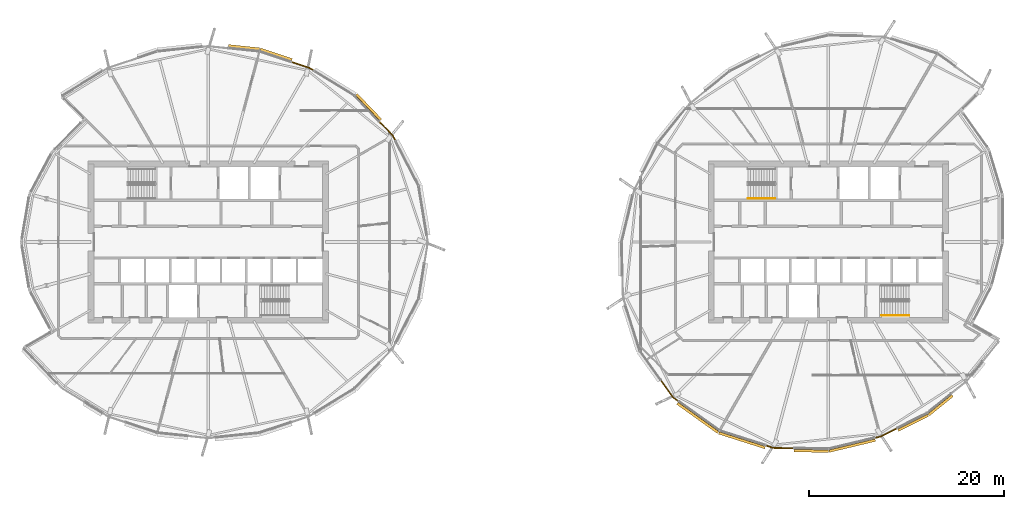
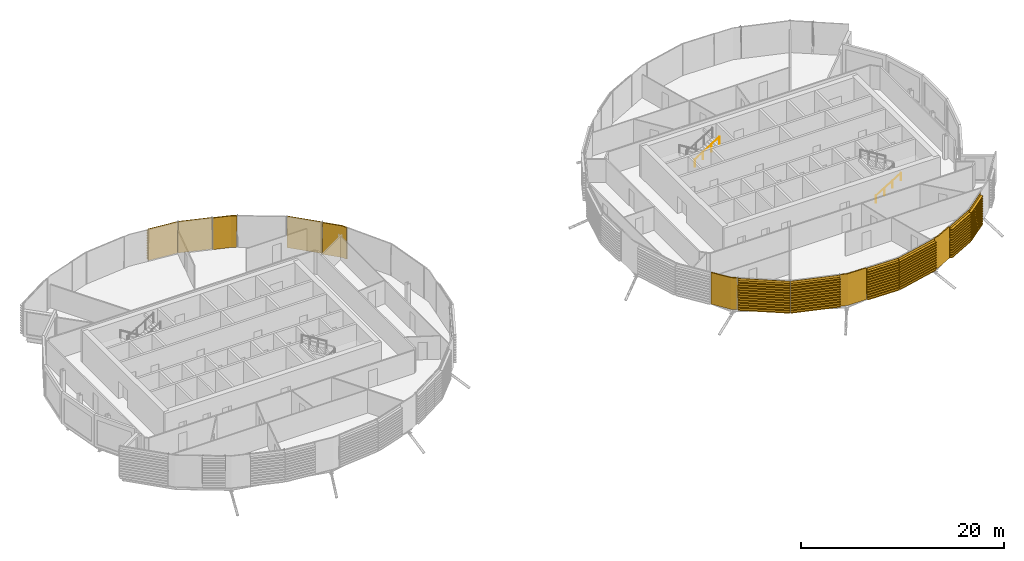
# One storey, part 35 of 37: 14 coverings, 2 railings.
"""IFC4 building model written with IfcOpenShell, lengths in metres."""

from ifc_helpers import new_model, si_unit, direction, frame, origin, origin_2d, place, context, subcontext, project, spatial, polyline, circle, outline, extrude, material, layer, layer_set, material_profile, profile_set, type_object, element, save


model = new_model("IFC4")

# Units and contexts
model_context = context("Model", 3, precision=1e-05, world=origin(), true_north=direction((0.0, 1.0)))
body_context = subcontext(model_context, "Body", "Model", "MODEL_VIEW")
ifc_project = project(units=[si_unit("LENGTHUNIT", "METRE"), si_unit("AREAUNIT", "SQUARE_METRE"), si_unit("VOLUMEUNIT", "CUBIC_METRE"), si_unit("PLANEANGLEUNIT", "RADIAN"), si_unit("MASSUNIT", "GRAM", prefix="KILO")], contexts=[model_context])

# Site, building, storey
site_placement = place(None, origin())
site = spatial("IfcSite", under=ifc_project, at=site_placement, CompositionType="ELEMENT")
building_placement = place(site_placement, origin())
building = spatial("IfcBuilding", under=site, at=building_placement, Name="Rimbun Link Towers", CompositionType="ELEMENT")
storey_placement = place(building_placement, frame((0.0, 0.0, 162.699951171875)))
storey = spatial("IfcBuildingStorey", under=building, at=storey_placement, Name="L39", CompositionType="ELEMENT", Elevation=162.699951171875)

# Coverings
ifc_material_1 = material(Name="Terracotta", Category="masonry")
ifc_layer = layer(ifc_material_1, 0.1201171875)
ifc_layer_set = layer_set([ifc_layer], Name="LINK PIER terracotta cladding 120")
covering_type_1 = type_object("IfcCoveringType", Name="LINK PIER terracotta cladding 120", PredefinedType="CLADDING", material=ifc_layer_set)
covering_1_placement = place(storey_placement, origin())
element("IfcCovering", 1, at=covering_1_placement, inside=storey, type_object=covering_type_1, Name="LINK PIER cladding", PredefinedType="CLADDING", context=body_context, shape_type="SweptSolid", body=[
    extrude(outline(polyline([(-14.273193359375, 12.299560546875), (-12.909912109375, 10.87744140625), (-12.64794921875, 10.37109375), (-12.541259765625, 10.42626953125), (-12.811279296875, 10.947998046875), (-14.1865234375, 12.382568359375), (-14.273193359375, 12.299560546875)])), origin(), (0.0, 0.0, 1.0), 3.800048828125),
])
covering_2_placement = place(storey_placement, origin())
element("IfcCovering", 2, at=covering_2_placement, inside=storey, type_object=covering_type_1, Name="LINK PIER cladding", PredefinedType="CLADDING", context=body_context, shape_type="SweptSolid", body=[
    extrude(outline(polyline([(-23.244873046875, 18.393798828125), (-21.469970703125, 17.8056640625), (-20.984130859375, 17.50732421875), (-20.92138671875, 17.609619140625), (-21.4189453125, 17.9150390625), (-23.207275390625, 18.5078125), (-23.244873046875, 18.393798828125)])), origin(), (0.0, 0.0, 1.0), 3.800048828125),
])
covering_3_placement = place(storey_placement, origin())
element("IfcCovering", 3, at=covering_3_placement, inside=storey, type_object=covering_type_1, Name="LINK PIER cladding", PredefinedType="CLADDING", context=body_context, shape_type="SweptSolid", body=[
    extrude(outline(polyline([(16.4296875, -16.255126953125), (15.885498046875, -15.864501953125), (14.6494140625, -14.14208984375), (14.552001953125, -14.212158203125), (15.79931640625, -15.95068359375), (16.35986328125, -16.352783203125), (16.4296875, -16.255126953125)])), origin(), (0.0, 0.0, 1.0), 3.800048828125),
])
covering_4_placement = place(storey_placement, origin())
element("IfcCovering", 4, at=covering_4_placement, inside=storey, type_object=covering_type_1, Name="LINK PIER cladding", PredefinedType="CLADDING", context=body_context, shape_type="SweptSolid", body=[
    extrude(outline(polyline([(28.18896484375, -21.05712890625), (26.119384765625, -21.013671875), (25.385498046875, -20.7802734375), (25.349365234375, -20.89453125), (26.099609375, -21.13330078125), (28.1865234375, -21.17724609375), (28.18896484375, -21.05712890625)])), origin(), (0.0, 0.0, 1.0), 3.800048828125),
])
covering_5_placement = place(storey_placement, origin())
element("IfcCovering", 5, at=covering_5_placement, inside=storey, type_object=covering_type_1, Name="LINK PIER cladding", PredefinedType="CLADDING", context=body_context, shape_type="SweptSolid", body=[
    extrude(outline(polyline([(38.742431640625, -19.020263671875), (37.0712890625, -19.859619140625), (36.516845703125, -19.9921875), (36.544921875, -20.10888671875), (37.11279296875, -19.972900390625), (38.79638671875, -19.12744140625), (38.742431640625, -19.020263671875)])), origin(), (0.0, 0.0, 1.0), 3.800048828125),
])

# Railings
ifc_material_2 = material(Name="Stainless steel grade 316", Category="steel")
railing_type = type_object("IfcRailingType", Name="Stair handrail", PredefinedType="HANDRAIL", material=ifc_material_2)
for number, where, name in (
    (6, (23.5, 4.449951171875, 2.07275390625), "L39 ST3 stair handrail 2"),
    (7, (37.199951171875, -7.5, 0.1728515625), "L39 ST4 stair handrail 1"),
):
    element("IfcRailing", number, at=place(storey_placement, frame(where)), inside=storey, type_object=railing_type, Name=name, PredefinedType="HANDRAIL", context=body_context, shape_type="SweptSolid", body=[
        extrude(circle(Radius=0.02392578125, at=origin_2d()), frame((0.0, 0.0, 0.8759765625), z_axis=(0.851089632645, 0.0, 0.525020415988), x_axis=(0.0, 1.0, 0.0)), (0.0, 0.0, 1.0), 3.2900390625),
        extrude(circle(Radius=0.02099609375, at=origin_2d()), origin(), (0.0, 0.0, 1.0), 0.851806640625),
        extrude(circle(Radius=0.02099609375, at=origin_2d()), frame((0.933349609375, 0.0, 0.57568359375)), (0.0, 0.0, 1.0), 0.851806640625),
        extrude(circle(Radius=0.02099609375, at=origin_2d()), frame((1.86669921875, 0.0, 1.151611328125)), (0.0, 0.0, 1.0), 0.851806640625),
        extrude(circle(Radius=0.02099609375, at=origin_2d()), frame((2.800048828125, 0.0, 1.727294921875)), (0.0, 0.0, 1.0), 0.851806640625),
    ])

# Coverings
ifc_material_3 = material(Name="Terracotta", Category="masonry")
ifc_material_profile = material_profile(ifc_material_3, outline(polyline([(0.123046875, 0.0), (0.1630859375, 0.0), (0.1630859375, 0.10009765625), (0.423095703125, 0.10009765625), (0.423095703125, 0.219970703125), (0.1630859375, 0.219970703125), (0.1630859375, 0.39990234375), (0.423095703125, 0.39990234375), (0.423095703125, 0.52001953125), (0.1630859375, 0.52001953125), (0.1630859375, 0.699951171875), (0.423095703125, 0.699951171875), (0.423095703125, 0.820068359375), (0.1630859375, 0.820068359375), (0.1630859375, 1.0), (0.423095703125, 1.0), (0.423095703125, 1.1201171875), (0.1630859375, 1.1201171875), (0.1630859375, 1.300048828125), (0.423095703125, 1.300048828125), (0.423095703125, 1.419921875), (0.1630859375, 1.419921875), (0.1630859375, 1.60009765625), (0.423095703125, 1.60009765625), (0.423095703125, 1.719970703125), (0.1630859375, 1.719970703125), (0.1630859375, 1.89990234375), (0.423095703125, 1.89990234375), (0.423095703125, 2.02001953125), (0.1630859375, 2.02001953125), (0.1630859375, 2.199951171875), (0.423095703125, 2.199951171875), (0.423095703125, 2.320068359375), (0.1630859375, 2.320068359375), (0.1630859375, 2.5), (0.423095703125, 2.5), (0.423095703125, 2.6201171875), (0.1630859375, 2.6201171875), (0.1630859375, 2.800048828125), (0.423095703125, 2.800048828125), (0.423095703125, 2.919921875), (0.1630859375, 2.919921875), (0.1630859375, 3.10009765625), (0.423095703125, 3.10009765625), (0.423095703125, 3.219970703125), (0.1630859375, 3.219970703125), (0.1630859375, 3.39990234375), (0.423095703125, 3.39990234375), (0.423095703125, 3.52001953125), (0.1630859375, 3.52001953125), (0.1630859375, 3.800048828125), (0.123046875, 3.800048828125), (0.123046875, 0.0)])), Name="BAGUETTE 120X300")
ifc_profile_set = profile_set([ifc_material_profile], Name="Terracotta")
covering_type_2 = type_object("IfcCoveringType", Name="TERRACOTTA BAGUETTE 120X300 H3800", PredefinedType="CLADDING", material=ifc_profile_set)
covering_6_placement = place(storey_placement, frame((-16.807373046875, 14.942626953125, 0.0), z_axis=(0.692060112177, -0.721839872225, 0.0), x_axis=(0.721839872225, 0.692060112177, 0.0)))
element("IfcCovering", 8, at=covering_6_placement, inside=storey, type_object=covering_type_2, Name="TERRACOTTA BAGUETTE", PredefinedType="CLADDING", context=body_context, shape_type="SweptSolid", body=[
    extrude(outline(polyline([(0.123046875, 0.0), (0.1630859375, 0.0), (0.1630859375, 0.10009765625), (0.423095703125, 0.10009765625), (0.423095703125, 0.219970703125), (0.1630859375, 0.219970703125), (0.1630859375, 0.39990234375), (0.423095703125, 0.39990234375), (0.423095703125, 0.52001953125), (0.1630859375, 0.52001953125), (0.1630859375, 0.699951171875), (0.423095703125, 0.699951171875), (0.423095703125, 0.820068359375), (0.1630859375, 0.820068359375), (0.1630859375, 1.0), (0.423095703125, 1.0), (0.423095703125, 1.1201171875), (0.1630859375, 1.1201171875), (0.1630859375, 1.300048828125), (0.423095703125, 1.300048828125), (0.423095703125, 1.419921875), (0.1630859375, 1.419921875), (0.1630859375, 1.60009765625), (0.423095703125, 1.60009765625), (0.423095703125, 1.719970703125), (0.1630859375, 1.719970703125), (0.1630859375, 1.89990234375), (0.423095703125, 1.89990234375), (0.423095703125, 2.02001953125), (0.1630859375, 2.02001953125), (0.1630859375, 2.199951171875), (0.423095703125, 2.199951171875), (0.423095703125, 2.320068359375), (0.1630859375, 2.320068359375), (0.1630859375, 2.5), (0.423095703125, 2.5), (0.423095703125, 2.6201171875), (0.1630859375, 2.6201171875), (0.1630859375, 2.800048828125), (0.423095703125, 2.800048828125), (0.423095703125, 2.919921875), (0.1630859375, 2.919921875), (0.1630859375, 3.10009765625), (0.423095703125, 3.10009765625), (0.423095703125, 3.219970703125), (0.1630859375, 3.219970703125), (0.1630859375, 3.39990234375), (0.423095703125, 3.39990234375), (0.423095703125, 3.52001953125), (0.1630859375, 3.52001953125), (0.1630859375, 3.800048828125), (0.123046875, 3.800048828125), (0.123046875, 0.0)])), origin(), (0.0, 0.0, 1.0), 3.6318359375),
])
covering_7_placement = place(storey_placement, frame((-26.52978515625, 19.482421875, 0.0), z_axis=(0.949236945708, -0.314561950819, 0.0), x_axis=(0.314561950819, 0.949236945708, 0.0)))
element("IfcCovering", 9, at=covering_7_placement, inside=storey, type_object=covering_type_2, Name="TERRACOTTA BAGUETTE", PredefinedType="CLADDING", context=body_context, shape_type="SweptSolid", body=[
    extrude(outline(polyline([(0.123046875, 0.0), (0.1630859375, 0.0), (0.1630859375, 0.10009765625), (0.423095703125, 0.10009765625), (0.423095703125, 0.219970703125), (0.1630859375, 0.219970703125), (0.1630859375, 0.39990234375), (0.423095703125, 0.39990234375), (0.423095703125, 0.52001953125), (0.1630859375, 0.52001953125), (0.1630859375, 0.699951171875), (0.423095703125, 0.699951171875), (0.423095703125, 0.820068359375), (0.1630859375, 0.820068359375), (0.1630859375, 1.0), (0.423095703125, 1.0), (0.423095703125, 1.1201171875), (0.1630859375, 1.1201171875), (0.1630859375, 1.300048828125), (0.423095703125, 1.300048828125), (0.423095703125, 1.419921875), (0.1630859375, 1.419921875), (0.1630859375, 1.60009765625), (0.423095703125, 1.60009765625), (0.423095703125, 1.719970703125), (0.1630859375, 1.719970703125), (0.1630859375, 1.89990234375), (0.423095703125, 1.89990234375), (0.423095703125, 2.02001953125), (0.1630859375, 2.02001953125), (0.1630859375, 2.199951171875), (0.423095703125, 2.199951171875), (0.423095703125, 2.320068359375), (0.1630859375, 2.320068359375), (0.1630859375, 2.5), (0.423095703125, 2.5), (0.423095703125, 2.6201171875), (0.1630859375, 2.6201171875), (0.1630859375, 2.800048828125), (0.423095703125, 2.800048828125), (0.423095703125, 2.919921875), (0.1630859375, 2.919921875), (0.1630859375, 3.10009765625), (0.423095703125, 3.10009765625), (0.423095703125, 3.219970703125), (0.1630859375, 3.219970703125), (0.1630859375, 3.39990234375), (0.423095703125, 3.39990234375), (0.423095703125, 3.52001953125), (0.1630859375, 3.52001953125), (0.1630859375, 3.800048828125), (0.123046875, 3.800048828125), (0.123046875, 0.0)])), origin(), (0.0, 0.0, 1.0), 3.430419921875),
])
covering_8_placement = place(storey_placement, frame((-29.711181640625, 19.8173828125, 0.0), z_axis=(0.994502943543, -0.104708620869, 0.0), x_axis=(0.104708620869, 0.994502943543, 0.0)))
element("IfcCovering", 10, at=covering_8_placement, inside=storey, type_object=covering_type_2, Name="TERRACOTTA BAGUETTE", PredefinedType="CLADDING", context=body_context, shape_type="SweptSolid", body=[
    extrude(outline(polyline([(0.123046875, 0.0), (0.1630859375, 0.0), (0.1630859375, 0.10009765625), (0.423095703125, 0.10009765625), (0.423095703125, 0.219970703125), (0.1630859375, 0.219970703125), (0.1630859375, 0.39990234375), (0.423095703125, 0.39990234375), (0.423095703125, 0.52001953125), (0.1630859375, 0.52001953125), (0.1630859375, 0.699951171875), (0.423095703125, 0.699951171875), (0.423095703125, 0.820068359375), (0.1630859375, 0.820068359375), (0.1630859375, 1.0), (0.423095703125, 1.0), (0.423095703125, 1.1201171875), (0.1630859375, 1.1201171875), (0.1630859375, 1.300048828125), (0.423095703125, 1.300048828125), (0.423095703125, 1.419921875), (0.1630859375, 1.419921875), (0.1630859375, 1.60009765625), (0.423095703125, 1.60009765625), (0.423095703125, 1.719970703125), (0.1630859375, 1.719970703125), (0.1630859375, 1.89990234375), (0.423095703125, 1.89990234375), (0.423095703125, 2.02001953125), (0.1630859375, 2.02001953125), (0.1630859375, 2.199951171875), (0.423095703125, 2.199951171875), (0.423095703125, 2.320068359375), (0.1630859375, 2.320068359375), (0.1630859375, 2.5), (0.423095703125, 2.5), (0.423095703125, 2.6201171875), (0.1630859375, 2.6201171875), (0.1630859375, 2.800048828125), (0.423095703125, 2.800048828125), (0.423095703125, 2.919921875), (0.1630859375, 2.919921875), (0.1630859375, 3.10009765625), (0.423095703125, 3.10009765625), (0.423095703125, 3.219970703125), (0.1630859375, 3.219970703125), (0.1630859375, 3.39990234375), (0.423095703125, 3.39990234375), (0.423095703125, 3.52001953125), (0.1630859375, 3.52001953125), (0.1630859375, 3.800048828125), (0.123046875, 3.800048828125), (0.123046875, 0.0)])), origin(), (0.0, 0.0, 1.0), 3.198974609375),
])
covering_9_placement = place(storey_placement, frame((20.62646484375, -19.2666015625, 0.0), z_axis=(-0.812475589724, 0.582995211046, 0.0), x_axis=(-0.582995211046, -0.812475589724, 0.0)))
element("IfcCovering", 11, at=covering_9_placement, inside=storey, type_object=covering_type_2, Name="TERRACOTTA BAGUETTE", PredefinedType="CLADDING", context=body_context, shape_type="SweptSolid", body=[
    extrude(outline(polyline([(0.123046875, 0.0), (0.1630859375, 0.0), (0.1630859375, 0.10009765625), (0.423095703125, 0.10009765625), (0.423095703125, 0.219970703125), (0.1630859375, 0.219970703125), (0.1630859375, 0.39990234375), (0.423095703125, 0.39990234375), (0.423095703125, 0.52001953125), (0.1630859375, 0.52001953125), (0.1630859375, 0.699951171875), (0.423095703125, 0.699951171875), (0.423095703125, 0.820068359375), (0.1630859375, 0.820068359375), (0.1630859375, 1.0), (0.423095703125, 1.0), (0.423095703125, 1.1201171875), (0.1630859375, 1.1201171875), (0.1630859375, 1.300048828125), (0.423095703125, 1.300048828125), (0.423095703125, 1.419921875), (0.1630859375, 1.419921875), (0.1630859375, 1.60009765625), (0.423095703125, 1.60009765625), (0.423095703125, 1.719970703125), (0.1630859375, 1.719970703125), (0.1630859375, 1.89990234375), (0.423095703125, 1.89990234375), (0.423095703125, 2.02001953125), (0.1630859375, 2.02001953125), (0.1630859375, 2.199951171875), (0.423095703125, 2.199951171875), (0.423095703125, 2.320068359375), (0.1630859375, 2.320068359375), (0.1630859375, 2.5), (0.423095703125, 2.5), (0.423095703125, 2.6201171875), (0.1630859375, 2.6201171875), (0.1630859375, 2.800048828125), (0.423095703125, 2.800048828125), (0.423095703125, 2.919921875), (0.1630859375, 2.919921875), (0.1630859375, 3.10009765625), (0.423095703125, 3.10009765625), (0.423095703125, 3.219970703125), (0.1630859375, 3.219970703125), (0.1630859375, 3.39990234375), (0.423095703125, 3.39990234375), (0.423095703125, 3.52001953125), (0.1630859375, 3.52001953125), (0.1630859375, 3.800048828125), (0.123046875, 3.800048828125), (0.123046875, 0.0)])), origin(), (0.0, 0.0, 1.0), 5.13525390625),
])
covering_10_placement = place(storey_placement, frame((25.35693359375, -20.771240234375, 0.0), z_axis=(-0.952955487798, 0.303110274117, 0.0), x_axis=(-0.303110274117, -0.952955487798, 0.0)))
element("IfcCovering", 12, at=covering_10_placement, inside=storey, type_object=covering_type_2, Name="TERRACOTTA BAGUETTE", PredefinedType="CLADDING", context=body_context, shape_type="SweptSolid", body=[
    extrude(outline(polyline([(0.123046875, 0.0), (0.1630859375, 0.0), (0.1630859375, 0.10009765625), (0.423095703125, 0.10009765625), (0.423095703125, 0.219970703125), (0.1630859375, 0.219970703125), (0.1630859375, 0.39990234375), (0.423095703125, 0.39990234375), (0.423095703125, 0.52001953125), (0.1630859375, 0.52001953125), (0.1630859375, 0.699951171875), (0.423095703125, 0.699951171875), (0.423095703125, 0.820068359375), (0.1630859375, 0.820068359375), (0.1630859375, 1.0), (0.423095703125, 1.0), (0.423095703125, 1.1201171875), (0.1630859375, 1.1201171875), (0.1630859375, 1.300048828125), (0.423095703125, 1.300048828125), (0.423095703125, 1.419921875), (0.1630859375, 1.419921875), (0.1630859375, 1.60009765625), (0.423095703125, 1.60009765625), (0.423095703125, 1.719970703125), (0.1630859375, 1.719970703125), (0.1630859375, 1.89990234375), (0.423095703125, 1.89990234375), (0.423095703125, 2.02001953125), (0.1630859375, 2.02001953125), (0.1630859375, 2.199951171875), (0.423095703125, 2.199951171875), (0.423095703125, 2.320068359375), (0.1630859375, 2.320068359375), (0.1630859375, 2.5), (0.423095703125, 2.5), (0.423095703125, 2.6201171875), (0.1630859375, 2.6201171875), (0.1630859375, 2.800048828125), (0.423095703125, 2.800048828125), (0.423095703125, 2.919921875), (0.1630859375, 2.919921875), (0.1630859375, 3.10009765625), (0.423095703125, 3.10009765625), (0.423095703125, 3.219970703125), (0.1630859375, 3.219970703125), (0.1630859375, 3.39990234375), (0.423095703125, 3.39990234375), (0.423095703125, 3.52001953125), (0.1630859375, 3.52001953125), (0.1630859375, 3.800048828125), (0.123046875, 3.800048828125), (0.123046875, 0.0)])), origin(), (0.0, 0.0, 1.0), 4.964111328125),
])
covering_11_placement = place(storey_placement, frame((31.75, -21.132080078125, 0.0), z_axis=(-0.999779170788, 0.021014510677, 0.0), x_axis=(-0.021014510677, -0.999779170788, 0.0)))
element("IfcCovering", 13, at=covering_11_placement, inside=storey, type_object=covering_type_2, Name="TERRACOTTA BAGUETTE", PredefinedType="CLADDING", context=body_context, shape_type="SweptSolid", body=[
    extrude(outline(polyline([(0.123046875, 0.0), (0.1630859375, 0.0), (0.1630859375, 0.10009765625), (0.423095703125, 0.10009765625), (0.423095703125, 0.219970703125), (0.1630859375, 0.219970703125), (0.1630859375, 0.39990234375), (0.423095703125, 0.39990234375), (0.423095703125, 0.52001953125), (0.1630859375, 0.52001953125), (0.1630859375, 0.699951171875), (0.423095703125, 0.699951171875), (0.423095703125, 0.820068359375), (0.1630859375, 0.820068359375), (0.1630859375, 1.0), (0.423095703125, 1.0), (0.423095703125, 1.1201171875), (0.1630859375, 1.1201171875), (0.1630859375, 1.300048828125), (0.423095703125, 1.300048828125), (0.423095703125, 1.419921875), (0.1630859375, 1.419921875), (0.1630859375, 1.60009765625), (0.423095703125, 1.60009765625), (0.423095703125, 1.719970703125), (0.1630859375, 1.719970703125), (0.1630859375, 1.89990234375), (0.423095703125, 1.89990234375), (0.423095703125, 2.02001953125), (0.1630859375, 2.02001953125), (0.1630859375, 2.199951171875), (0.423095703125, 2.199951171875), (0.423095703125, 2.320068359375), (0.1630859375, 2.320068359375), (0.1630859375, 2.5), (0.423095703125, 2.5), (0.423095703125, 2.6201171875), (0.1630859375, 2.6201171875), (0.1630859375, 2.800048828125), (0.423095703125, 2.800048828125), (0.423095703125, 2.919921875), (0.1630859375, 2.919921875), (0.1630859375, 3.10009765625), (0.423095703125, 3.10009765625), (0.423095703125, 3.219970703125), (0.1630859375, 3.219970703125), (0.1630859375, 3.39990234375), (0.423095703125, 3.39990234375), (0.423095703125, 3.52001953125), (0.1630859375, 3.52001953125), (0.1630859375, 3.800048828125), (0.123046875, 3.800048828125), (0.123046875, 0.0)])), origin(), (0.0, 0.0, 1.0), 3.53173828125),
])
covering_12_placement = place(storey_placement, frame((36.48779296875, -19.9990234375, 0.0), z_axis=(-0.972573962612, -0.232593824615, 0.0), x_axis=(0.232593824615, -0.972573962612, 0.0)))
element("IfcCovering", 14, at=covering_12_placement, inside=storey, type_object=covering_type_2, Name="TERRACOTTA BAGUETTE", PredefinedType="CLADDING", context=body_context, shape_type="SweptSolid", body=[
    extrude(outline(polyline([(0.123046875, 0.0), (0.1630859375, 0.0), (0.1630859375, 0.10009765625), (0.423095703125, 0.10009765625), (0.423095703125, 0.219970703125), (0.1630859375, 0.219970703125), (0.1630859375, 0.39990234375), (0.423095703125, 0.39990234375), (0.423095703125, 0.52001953125), (0.1630859375, 0.52001953125), (0.1630859375, 0.699951171875), (0.423095703125, 0.699951171875), (0.423095703125, 0.820068359375), (0.1630859375, 0.820068359375), (0.1630859375, 1.0), (0.423095703125, 1.0), (0.423095703125, 1.1201171875), (0.1630859375, 1.1201171875), (0.1630859375, 1.300048828125), (0.423095703125, 1.300048828125), (0.423095703125, 1.419921875), (0.1630859375, 1.419921875), (0.1630859375, 1.60009765625), (0.423095703125, 1.60009765625), (0.423095703125, 1.719970703125), (0.1630859375, 1.719970703125), (0.1630859375, 1.89990234375), (0.423095703125, 1.89990234375), (0.423095703125, 2.02001953125), (0.1630859375, 2.02001953125), (0.1630859375, 2.199951171875), (0.423095703125, 2.199951171875), (0.423095703125, 2.320068359375), (0.1630859375, 2.320068359375), (0.1630859375, 2.5), (0.423095703125, 2.5), (0.423095703125, 2.6201171875), (0.1630859375, 2.6201171875), (0.1630859375, 2.800048828125), (0.423095703125, 2.800048828125), (0.423095703125, 2.919921875), (0.1630859375, 2.919921875), (0.1630859375, 3.10009765625), (0.423095703125, 3.10009765625), (0.423095703125, 3.219970703125), (0.1630859375, 3.219970703125), (0.1630859375, 3.39990234375), (0.423095703125, 3.39990234375), (0.423095703125, 3.52001953125), (0.1630859375, 3.52001953125), (0.1630859375, 3.800048828125), (0.123046875, 3.800048828125), (0.123046875, 0.0)])), origin(), (0.0, 0.0, 1.0), 4.871337890625),
])
covering_13_placement = place(storey_placement, frame((41.834716796875, -17.46728515625, 0.0), z_axis=(-0.893628650028, -0.448807125444, 0.0), x_axis=(0.448807125444, -0.893628650028, 0.0)))
element("IfcCovering", 15, at=covering_13_placement, inside=storey, type_object=covering_type_2, Name="TERRACOTTA BAGUETTE", PredefinedType="CLADDING", context=body_context, shape_type="SweptSolid", body=[
    extrude(outline(polyline([(0.123046875, 0.0), (0.1630859375, 0.0), (0.1630859375, 0.10009765625), (0.423095703125, 0.10009765625), (0.423095703125, 0.219970703125), (0.1630859375, 0.219970703125), (0.1630859375, 0.39990234375), (0.423095703125, 0.39990234375), (0.423095703125, 0.52001953125), (0.1630859375, 0.52001953125), (0.1630859375, 0.699951171875), (0.423095703125, 0.699951171875), (0.423095703125, 0.820068359375), (0.1630859375, 0.820068359375), (0.1630859375, 1.0), (0.423095703125, 1.0), (0.423095703125, 1.1201171875), (0.1630859375, 1.1201171875), (0.1630859375, 1.300048828125), (0.423095703125, 1.300048828125), (0.423095703125, 1.419921875), (0.1630859375, 1.419921875), (0.1630859375, 1.60009765625), (0.423095703125, 1.60009765625), (0.423095703125, 1.719970703125), (0.1630859375, 1.719970703125), (0.1630859375, 1.89990234375), (0.423095703125, 1.89990234375), (0.423095703125, 2.02001953125), (0.1630859375, 2.02001953125), (0.1630859375, 2.199951171875), (0.423095703125, 2.199951171875), (0.423095703125, 2.320068359375), (0.1630859375, 2.320068359375), (0.1630859375, 2.5), (0.423095703125, 2.5), (0.423095703125, 2.6201171875), (0.1630859375, 2.6201171875), (0.1630859375, 2.800048828125), (0.423095703125, 2.800048828125), (0.423095703125, 2.919921875), (0.1630859375, 2.919921875), (0.1630859375, 3.10009765625), (0.423095703125, 3.10009765625), (0.423095703125, 3.219970703125), (0.1630859375, 3.219970703125), (0.1630859375, 3.39990234375), (0.423095703125, 3.39990234375), (0.423095703125, 3.52001953125), (0.1630859375, 3.52001953125), (0.1630859375, 3.800048828125), (0.123046875, 3.800048828125), (0.123046875, 0.0)])), origin(), (0.0, 0.0, 1.0), 3.430419921875),
])
covering_14_placement = place(storey_placement, frame((44.282470703125, -15.486083984375, 0.0), z_axis=(-0.7772936153, -0.62913800999, 0.0), x_axis=(0.62913800999, -0.7772936153, 0.0)))
element("IfcCovering", 16, at=covering_14_placement, inside=storey, type_object=covering_type_2, Name="TERRACOTTA BAGUETTE", PredefinedType="CLADDING", context=body_context, shape_type="SweptSolid", body=[
    extrude(outline(polyline([(0.123046875, 0.0), (0.1630859375, 0.0), (0.1630859375, 0.10009765625), (0.423095703125, 0.10009765625), (0.423095703125, 0.219970703125), (0.1630859375, 0.219970703125), (0.1630859375, 0.39990234375), (0.423095703125, 0.39990234375), (0.423095703125, 0.52001953125), (0.1630859375, 0.52001953125), (0.1630859375, 0.699951171875), (0.423095703125, 0.699951171875), (0.423095703125, 0.820068359375), (0.1630859375, 0.820068359375), (0.1630859375, 1.0), (0.423095703125, 1.0), (0.423095703125, 1.1201171875), (0.1630859375, 1.1201171875), (0.1630859375, 1.300048828125), (0.423095703125, 1.300048828125), (0.423095703125, 1.419921875), (0.1630859375, 1.419921875), (0.1630859375, 1.60009765625), (0.423095703125, 1.60009765625), (0.423095703125, 1.719970703125), (0.1630859375, 1.719970703125), (0.1630859375, 1.89990234375), (0.423095703125, 1.89990234375), (0.423095703125, 2.02001953125), (0.1630859375, 2.02001953125), (0.1630859375, 2.199951171875), (0.423095703125, 2.199951171875), (0.423095703125, 2.320068359375), (0.1630859375, 2.320068359375), (0.1630859375, 2.5), (0.423095703125, 2.5), (0.423095703125, 2.6201171875), (0.1630859375, 2.6201171875), (0.1630859375, 2.800048828125), (0.423095703125, 2.800048828125), (0.423095703125, 2.919921875), (0.1630859375, 2.919921875), (0.1630859375, 3.10009765625), (0.423095703125, 3.10009765625), (0.423095703125, 3.219970703125), (0.1630859375, 3.219970703125), (0.1630859375, 3.39990234375), (0.423095703125, 3.39990234375), (0.423095703125, 3.52001953125), (0.1630859375, 3.52001953125), (0.1630859375, 3.800048828125), (0.123046875, 3.800048828125), (0.123046875, 0.0)])), origin(), (0.0, 0.0, 1.0), 3.149169921875),
])

save(model, "model.ifc")
